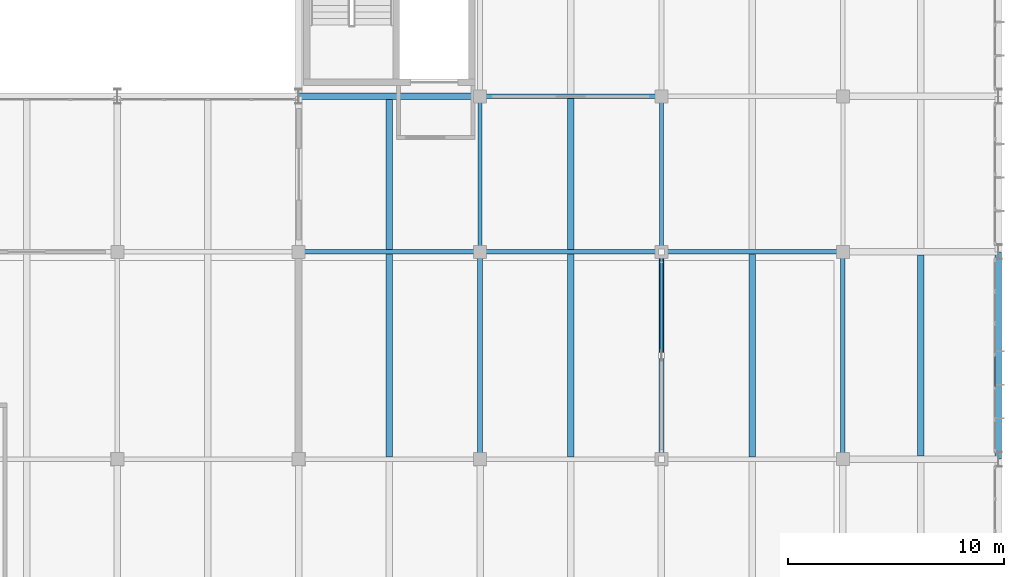
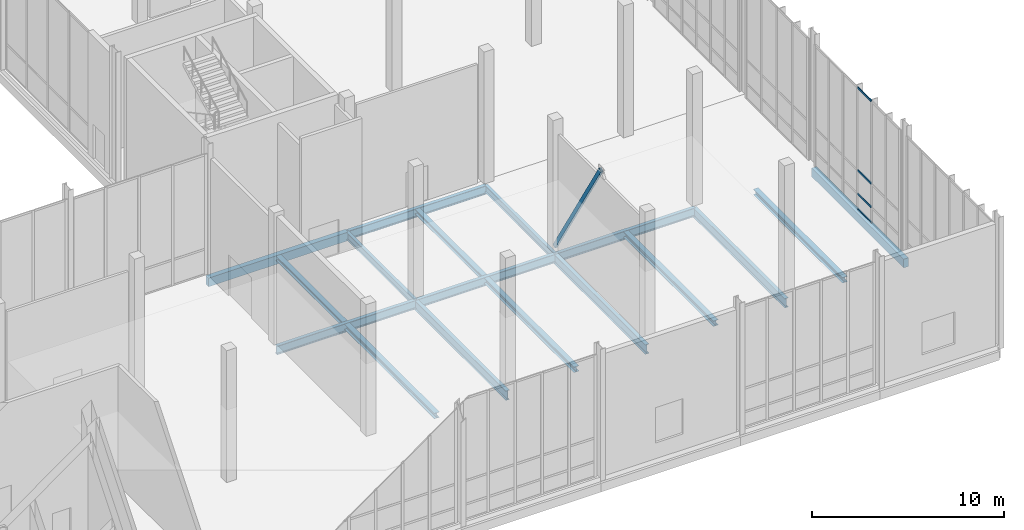
# One storey, part 89 of 131: 17 beams, 5 members, 1 element without a shape of its own.
"""IFC4 building model written with IfcOpenShell, lengths in metres."""

from ifc_helpers import new_model, si_unit, direction, frame, origin, origin_2d, place, context, subcontext, project, spatial, rectangle, hollow_rectangle, i_section, extrude, material, material_profile, profile_set, type_object, element, aggregate, save


model = new_model("IFC4")

# Units and contexts
model_context = context("Model", 3, precision=1e-05, world=origin(), true_north=direction((0.0, 1.0)))
body_context = subcontext(model_context, "Body", "Model", "MODEL_VIEW")
ifc_project = project(units=[si_unit("LENGTHUNIT", "METRE"), si_unit("AREAUNIT", "SQUARE_METRE"), si_unit("VOLUMEUNIT", "CUBIC_METRE"), si_unit("PLANEANGLEUNIT", "RADIAN"), si_unit("MASSUNIT", "GRAM", prefix="KILO")], contexts=[model_context])

# Site, building, storey
site_placement = place(None, origin())
site = spatial("IfcSite", under=ifc_project, at=site_placement, CompositionType="ELEMENT")
building_placement = place(site_placement, origin())
building = spatial("IfcBuilding", under=site, at=building_placement, Name="Veltarok Museum of Natural Sciences", CompositionType="ELEMENT")
storey_placement = place(building_placement, origin())
storey = spatial("IfcBuildingStorey", under=building, at=storey_placement, Name="L00", CompositionType="ELEMENT", Elevation=0.0)

# Beams
ifc_material_1 = material(Name="Steel S355J2", Category="steel")
ifc_material_profile_1 = material_profile(ifc_material_1, i_section(OverallWidth=0.2099609375, OverallDepth=0.550048828125, WebThickness=0.010986328125, FlangeThickness=0.01708984375, FilletRadius=0.02392578125, at=origin_2d()), Name="IPE 550")
ifc_profile_set_1 = profile_set([ifc_material_profile_1], Name="Steel S355J2")
beam_type_1 = type_object("IfcBeamType", Name="Archive Heavy Girder IPE 550", PredefinedType="BEAM", material=ifc_profile_set_1)
beam_1_placement = place(storey_placement, frame((132.39990234375, 19.199951171875, -0.574951171875), z_axis=(1.0, 0.0, 0.0), x_axis=(0.0, 1.0, 0.0)))
element("IfcBeam", 1, at=beam_1_placement, inside=storey, type_object=beam_type_1, Name="Beam BM-G03 L00 16-17/C", PredefinedType="BEAM", context=body_context, shape_type="SweptSolid", body=[
    extrude(i_section(OverallWidth=0.2099609375, OverallDepth=0.550048828125, WebThickness=0.010986328125, FlangeThickness=0.01708984375, FilletRadius=0.02392578125, at=origin_2d()), origin(), (0.0, 0.0, 1.0), 8.400146484375),
])
beam_2_placement = place(storey_placement, frame((140.800048828125, 19.199951171875, -0.574951171875), z_axis=(1.0, 0.0, 0.0), x_axis=(0.0, 1.0, 0.0)))
element("IfcBeam", 2, at=beam_2_placement, inside=storey, type_object=beam_type_1, Name="Beam BM-G03 L00 17-18/C", PredefinedType="BEAM", context=body_context, shape_type="SweptSolid", body=[
    extrude(i_section(OverallWidth=0.2099609375, OverallDepth=0.550048828125, WebThickness=0.010986328125, FlangeThickness=0.01708984375, FilletRadius=0.02392578125, at=origin_2d()), origin(), (0.0, 0.0, 1.0), 8.39990234375),
])
beam_3_placement = place(storey_placement, frame((149.199951171875, 19.199951171875, -0.574951171875), z_axis=(1.0, 0.0, 0.0), x_axis=(0.0, 1.0, 0.0)))
element("IfcBeam", 3, at=beam_3_placement, inside=storey, type_object=beam_type_1, Name="Beam BM-G03 L00 18-19/C", PredefinedType="BEAM", context=body_context, shape_type="SweptSolid", body=[
    extrude(i_section(OverallWidth=0.2099609375, OverallDepth=0.550048828125, WebThickness=0.010986328125, FlangeThickness=0.01708984375, FilletRadius=0.02392578125, at=origin_2d()), origin(), (0.0, 0.0, 1.0), 8.400146484375),
])
beam_4_placement = place(storey_placement, frame((140.800048828125, 26.39990234375, -0.574951171875), z_axis=(1.0, 0.0, 0.0), x_axis=(0.0, 1.0, 0.0)))
element("IfcBeam", 4, at=beam_4_placement, inside=storey, type_object=beam_type_1, Name="Beam BM-G03 L00 17-18/D", PredefinedType="BEAM", context=body_context, shape_type="SweptSolid", body=[
    extrude(i_section(OverallWidth=0.2099609375, OverallDepth=0.550048828125, WebThickness=0.010986328125, FlangeThickness=0.01708984375, FilletRadius=0.02392578125, at=origin_2d()), origin(), (0.0, 0.0, 1.0), 8.39990234375),
])

# Curtain wall, members
ifc_material_2 = material(Name="Low-iron triple insulated glass", Category="glass")
curtain_wall_type = type_object("IfcCurtainWallType", Name="Curtain Wall System CW-V5E-L00-B-890x778 (V5 East Lab L00 B-C 890x778cm)", PredefinedType="NOTDEFINED", material=ifc_material_2)
curtain_wall_placement = place(storey_placement, origin())
curtain_wall = element("IfcCurtainWall", 5, at=curtain_wall_placement, inside=storey, type_object=curtain_wall_type, Name="Curtain Wall CW-V5E-L00-B-890x778 CW-0099", PredefinedType="NOTDEFINED")
ifc_material_3 = material(Name="Thermally broken anodised aluminium", Category="aluminium")
ifc_material_profile_2 = material_profile(ifc_material_3, hollow_rectangle(XDim=0.06005859375, YDim=0.1201171875, WallThickness=0.0048828125, at=origin_2d()), Name="CW TRANSOM 60x120x5")
ifc_profile_set_2 = profile_set([ifc_material_profile_2], Name="Thermally broken anodised aluminium")
member_type_1 = type_object("IfcMemberType", Name="Curtain Wall Horizontal Transom 60x120x5", PredefinedType="USERDEFINED", material=ifc_profile_set_2)
member_1_placement = place(storey_placement, frame((164.64990234375, 12.94677734375, 0.030029296875), z_axis=(0.0, 1.0, 0.0), x_axis=(-1.0, 0.0, 0.0)))
member_1 = element("IfcMember", 6, at=member_1_placement, type_object=member_type_1, Name="CW-V5E-L00-B-890x778 transom 3.1", ObjectType="TRANSOM", PredefinedType="USERDEFINED", context=body_context, shape_type="SweptSolid", body=[
    extrude(hollow_rectangle(XDim=0.06005859375, YDim=0.1201171875, WallThickness=0.0048828125, at=origin_2d()), origin(), (0.0, 0.0, 1.0), 1.42333984375),
])
member_2_placement = place(storey_placement, frame((164.64990234375, 12.94677734375, 1.0), z_axis=(0.0, 1.0, 0.0), x_axis=(-1.0, 0.0, 0.0)))
member_2 = element("IfcMember", 7, at=member_2_placement, type_object=member_type_1, Name="CW-V5E-L00-B-890x778 transom 3.2", ObjectType="TRANSOM", PredefinedType="USERDEFINED", context=body_context, shape_type="SweptSolid", body=[
    extrude(hollow_rectangle(XDim=0.06005859375, YDim=0.1201171875, WallThickness=0.0048828125, at=origin_2d()), origin(), (0.0, 0.0, 1.0), 1.42333984375),
])
member_3_placement = place(storey_placement, frame((164.64990234375, 12.94677734375, 2.5), z_axis=(0.0, 1.0, 0.0), x_axis=(-1.0, 0.0, 0.0)))
member_3 = element("IfcMember", 8, at=member_3_placement, type_object=member_type_1, Name="CW-V5E-L00-B-890x778 transom 3.3", ObjectType="TRANSOM", PredefinedType="USERDEFINED", context=body_context, shape_type="SweptSolid", body=[
    extrude(hollow_rectangle(XDim=0.06005859375, YDim=0.1201171875, WallThickness=0.0048828125, at=origin_2d()), origin(), (0.0, 0.0, 1.0), 1.42333984375),
])
member_4_placement = place(storey_placement, frame((164.64990234375, 12.94677734375, 7.75), z_axis=(0.0, 1.0, 0.0), x_axis=(-1.0, 0.0, 0.0)))
member_4 = element("IfcMember", 9, at=member_4_placement, type_object=member_type_1, Name="CW-V5E-L00-B-890x778 transom 3.4", ObjectType="TRANSOM", PredefinedType="USERDEFINED", context=body_context, shape_type="SweptSolid", body=[
    extrude(hollow_rectangle(XDim=0.06005859375, YDim=0.1201171875, WallThickness=0.0048828125, at=origin_2d()), origin(), (0.0, 0.0, 1.0), 1.42333984375),
])
aggregate(curtain_wall, [member_1, member_2, member_3, member_4])

# Beams
ifc_material_4 = material(Name="Precast concrete C40/50", Category="concrete")
ifc_material_profile_3 = material_profile(ifc_material_4, rectangle(XDim=0.300048828125, YDim=0.550048828125, at=origin_2d()), Name="RC 300x550")
ifc_profile_set_3 = profile_set([ifc_material_profile_3], Name="Precast concrete C40/50")
beam_type_2 = type_object("IfcBeamType", Name="East Wing Precast Spandrel RC 300x550", PredefinedType="SPANDREL", material=ifc_profile_set_3)
beam_5_placement = place(storey_placement, frame((132.39990234375, 26.39990234375, -0.574951171875), z_axis=(1.0, 0.0, 0.0), x_axis=(0.0, 1.0, 0.0)))
element("IfcBeam", 10, at=beam_5_placement, inside=storey, type_object=beam_type_2, Name="Beam BM-SP02 L00 16-17/D", PredefinedType="SPANDREL", context=body_context, shape_type="SweptSolid", body=[
    extrude(rectangle(XDim=0.300048828125, YDim=0.550048828125, at=origin_2d()), origin(), (0.0, 0.0, 1.0), 8.400146484375),
])
beam_6_placement = place(storey_placement, frame((164.800048828125, 9.60009765625, -0.574951171875), z_axis=(0.0, 1.0, 0.0), x_axis=(-1.0, 0.0, 0.0)))
element("IfcBeam", 11, at=beam_6_placement, inside=storey, type_object=beam_type_2, Name="Beam BM-SP02 L00 20/B-C", PredefinedType="SPANDREL", context=body_context, shape_type="SweptSolid", body=[
    extrude(rectangle(XDim=0.300048828125, YDim=0.550048828125, at=origin_2d()), origin(), (0.0, 0.0, 1.0), 9.599853515625),
])
ifc_material_profile_4 = material_profile(ifc_material_1, i_section(OverallWidth=0.18994140625, OverallDepth=0.449951171875, WebThickness=0.009521484375, FlangeThickness=0.0146484375, FilletRadius=0.02099609375, at=origin_2d()), Name="IPE 450")
ifc_profile_set_4 = profile_set([ifc_material_profile_4], Name="Steel S355J2")
beam_type_3 = type_object("IfcBeamType", Name="Laboratory Floor Girder IPE 450", PredefinedType="BEAM", material=ifc_profile_set_4)
for number, where, z_axis, x_axis, name in (
    (12, (140.800048828125, 19.199951171875, -0.52490234375), (0.0, 1.0, 0.0), (-1.0, 0.0, 0.0), "Beam BM-G05 L00 17/C-D"),
    (13, (149.199951171875, 19.199951171875, -0.52490234375), (0.0, 1.0, 0.0), (-1.0, 0.0, 0.0), "Beam BM-G05 L00 18/C-D"),
):
    element("IfcBeam", number, at=place(storey_placement, frame(where, z_axis=z_axis, x_axis=x_axis)), inside=storey, type_object=beam_type_3, Name=name, PredefinedType="BEAM", context=body_context, shape_type="SweptSolid", body=[
        extrude(i_section(OverallWidth=0.18994140625, OverallDepth=0.449951171875, WebThickness=0.009521484375, FlangeThickness=0.0146484375, FilletRadius=0.02099609375, at=origin_2d()), origin(), (0.0, 0.0, 1.0), 7.199951171875),
    ])
ifc_material_profile_5 = material_profile(ifc_material_1, i_section(OverallWidth=0.300048828125, OverallDepth=0.300048828125, WebThickness=0.010986328125, FlangeThickness=0.01904296875, FilletRadius=0.027099609375, at=origin_2d()), Name="HEB 300")
ifc_profile_set_5 = profile_set([ifc_material_profile_5], Name="Steel S355J2")
beam_type_4 = type_object("IfcBeamType", Name="Laboratory Floor Joist HEB 300", PredefinedType="JOIST", material=ifc_profile_set_5)
beam_7_placement = place(storey_placement, frame((136.60009765625, 19.302978515625, -0.449951171875), z_axis=(0.0, 1.0, 0.0), x_axis=(-1.0, 0.0, 0.0)))
element("IfcBeam", 14, at=beam_7_placement, inside=storey, type_object=beam_type_4, Name="Secondary Joist BM-J10 L00 16-17/C-D.1", PredefinedType="JOIST", context=body_context, shape_type="SweptSolid", body=[
    extrude(i_section(OverallWidth=0.300048828125, OverallDepth=0.300048828125, WebThickness=0.010986328125, FlangeThickness=0.01904296875, FilletRadius=0.027099609375, at=origin_2d()), origin(), (0.0, 0.0, 1.0), 6.948974609375),
])
beam_8_placement = place(storey_placement, frame((145.0, 19.302978515625, -0.449951171875), z_axis=(0.0, 1.0, 0.0), x_axis=(-1.0, 0.0, 0.0)))
element("IfcBeam", 15, at=beam_8_placement, inside=storey, type_object=beam_type_4, Name="Secondary Joist BM-J10 L00 17-18/C-D.1", PredefinedType="JOIST", context=body_context, shape_type="SweptSolid", body=[
    extrude(i_section(OverallWidth=0.300048828125, OverallDepth=0.300048828125, WebThickness=0.010986328125, FlangeThickness=0.01904296875, FilletRadius=0.027099609375, at=origin_2d()), origin(), (0.0, 0.0, 1.0), 6.994140625),
])
ifc_material_profile_6 = material_profile(ifc_material_1, i_section(OverallWidth=0.300048828125, OverallDepth=0.35009765625, WebThickness=0.010009765625, FlangeThickness=0.017578125, FilletRadius=0.027099609375, at=origin_2d()), Name="HEA 360")
ifc_profile_set_6 = profile_set([ifc_material_profile_6], Name="Steel S355J2")
beam_type_5 = type_object("IfcBeamType", Name="Long-Span Gallery Joist HEA 360", PredefinedType="JOIST", material=ifc_profile_set_6)
for number, where, z_axis, x_axis, name in (
    (16, (136.60009765625, 9.702880859375, -0.47509765625), (0.0, 1.0, 0.0), (-1.0, 0.0, 0.0), "Secondary Joist BM-J07 L00 16-17/B-C.1"),
    (17, (145.0, 9.702880859375, -0.47509765625), (0.0, 1.0, 0.0), (-1.0, 0.0, 0.0), "Secondary Joist BM-J07 L00 17-18/B-C.1"),
    (18, (153.39990234375, 9.702880859375, -0.47509765625), (0.0, 1.0, 0.0), (-1.0, 0.0, 0.0), "Secondary Joist BM-J07 L00 18-19/B-C.1"),
):
    element("IfcBeam", number, at=place(storey_placement, frame(where, z_axis=z_axis, x_axis=x_axis)), inside=storey, type_object=beam_type_5, Name=name, PredefinedType="JOIST", context=body_context, shape_type="SweptSolid", body=[
        extrude(i_section(OverallWidth=0.300048828125, OverallDepth=0.35009765625, WebThickness=0.010009765625, FlangeThickness=0.017578125, FilletRadius=0.027099609375, at=origin_2d()), origin(), (0.0, 0.0, 1.0), 9.39404296875),
    ])
beam_9_placement = place(storey_placement, frame((161.199951171875, 9.748046875, -0.47509765625), z_axis=(0.0, 1.0, 0.0), x_axis=(-1.0, 0.0, 0.0)))
element("IfcBeam", 19, at=beam_9_placement, inside=storey, type_object=beam_type_5, Name="Secondary Joist BM-J07 L00 19-20/B-C.1", PredefinedType="JOIST", context=body_context, shape_type="SweptSolid", body=[
    extrude(i_section(OverallWidth=0.300048828125, OverallDepth=0.35009765625, WebThickness=0.010009765625, FlangeThickness=0.017578125, FilletRadius=0.027099609375, at=origin_2d()), origin(), (0.0, 0.0, 1.0), 9.303955078125),
])

# Member
ifc_material_5 = material(Name="Oxide-red painted Steel S355J2", Category="steel")
ifc_material_profile_7 = material_profile(ifc_material_5, hollow_rectangle(XDim=0.14990234375, YDim=0.25, WallThickness=0.010009765625, at=origin_2d()), Name="RHS 250x150x10")
ifc_profile_set_7 = profile_set([ifc_material_profile_7], Name="Oxide-red painted Steel S355J2")
member_type_2 = type_object("IfcMemberType", Name="Perimeter Frame Lateral Brace RHS 250x150x10", PredefinedType="BRACE", material=ifc_profile_set_7)
member_5_placement = place(storey_placement, frame((149.199951171875, 19.199951171875, 0.14990234375), z_axis=(0.0, -0.525565724744, 0.850753001155), x_axis=(1.0, 0.0, 0.0)))
element("IfcMember", 20, at=member_5_placement, inside=storey, type_object=member_type_2, Name="Chevron Lateral Brace L00 18/B-C", PredefinedType="BRACE", context=body_context, shape_type="SweptSolid", body=[
    extrude(hollow_rectangle(XDim=0.14990234375, YDim=0.25, WallThickness=0.010009765625, at=origin_2d()), origin(), (0.0, 0.0, 1.0), 9.133056640625),
])

# Beams
ifc_material_profile_8 = material_profile(ifc_material_1, i_section(OverallWidth=0.219970703125, OverallDepth=0.60009765625, WebThickness=0.011962890625, FlangeThickness=0.01904296875, FilletRadius=0.02392578125, at=origin_2d()), Name="IPE 600")
ifc_profile_set_8 = profile_set([ifc_material_profile_8], Name="Steel S355J2")
beam_type_6 = type_object("IfcBeamType", Name="Primary Museum Girder IPE 600", PredefinedType="BEAM", material=ifc_profile_set_8)
for number, where, z_axis, x_axis, name in (
    (21, (140.800048828125, 9.60009765625, -0.60009765625), (0.0, 1.0, 0.0), (-1.0, 0.0, 0.0), "Beam BM-G02 L00 17/B-C"),
    (22, (149.199951171875, 9.60009765625, -0.60009765625), (0.0, 1.0, 0.0), (-1.0, 0.0, 0.0), "Beam BM-G02 L00 18/B-C"),
    (23, (157.60009765625, 9.60009765625, -0.60009765625), (0.0, 1.0, 0.0), (-1.0, 0.0, 0.0), "Beam BM-G02 L00 19/B-C"),
):
    element("IfcBeam", number, at=place(storey_placement, frame(where, z_axis=z_axis, x_axis=x_axis)), inside=storey, type_object=beam_type_6, Name=name, PredefinedType="BEAM", context=body_context, shape_type="SweptSolid", body=[
        extrude(i_section(OverallWidth=0.219970703125, OverallDepth=0.60009765625, WebThickness=0.011962890625, FlangeThickness=0.01904296875, FilletRadius=0.02392578125, at=origin_2d()), origin(), (0.0, 0.0, 1.0), 9.599853515625),
    ])

save(model, "model.ifc")
